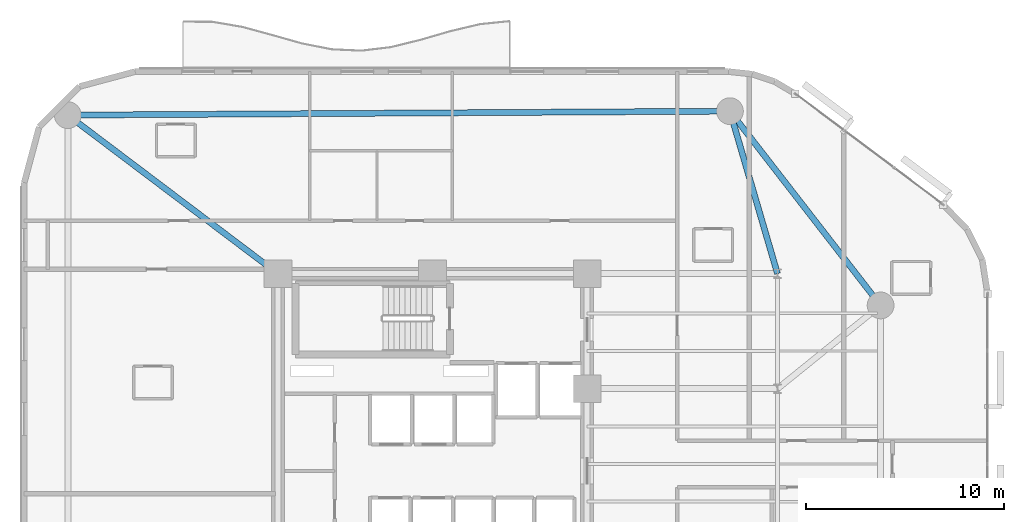
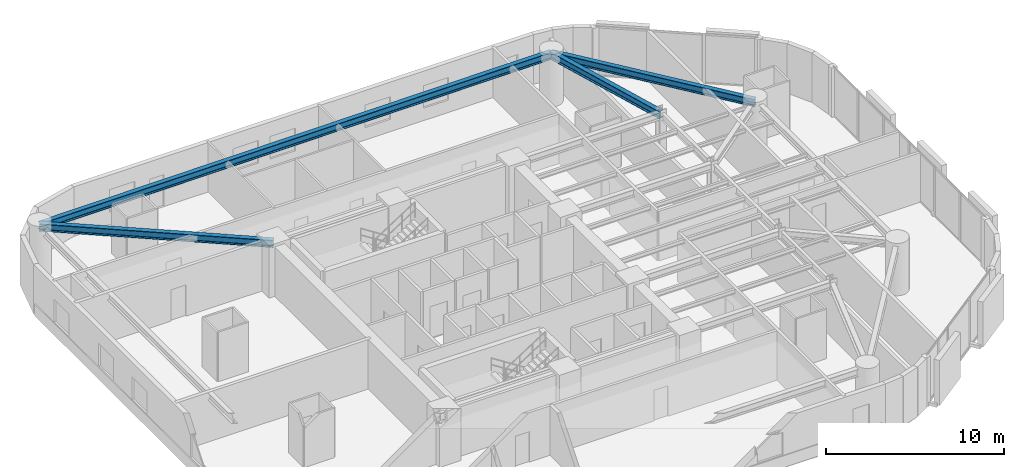
# One storey, part 7 of 16: 4 beams.
"""IFC4 building model written with IfcOpenShell, lengths in metres."""

from ifc_helpers import new_model, si_unit, direction, frame, origin, origin_2d, place, context, subcontext, project, spatial, i_section, extrude, material, material_profile, profile_set, type_object, element, save


model = new_model("IFC4")

# Units and contexts
model_context = context("Model", 3, precision=1e-05, world=origin(), true_north=direction((0.0, 1.0)))
body_context = subcontext(model_context, "Body", "Model", "MODEL_VIEW")
ifc_project = project(units=[si_unit("LENGTHUNIT", "METRE"), si_unit("AREAUNIT", "SQUARE_METRE"), si_unit("VOLUMEUNIT", "CUBIC_METRE"), si_unit("PLANEANGLEUNIT", "RADIAN"), si_unit("MASSUNIT", "GRAM", prefix="KILO")], contexts=[model_context])

# Site, building, storey
site_placement = place(None, origin())
site = spatial("IfcSite", under=ifc_project, at=site_placement, CompositionType="ELEMENT")
building_placement = place(site_placement, origin())
building = spatial("IfcBuilding", under=site, at=building_placement, Name="An Khanh Terracotta Commons", CompositionType="ELEMENT")
storey_placement = place(building_placement, frame((0.0, 0.0, 89.89990234375)))
storey = spatial("IfcBuildingStorey", under=building, at=storey_placement, Name="L23", CompositionType="ELEMENT", Elevation=89.89990234375)

# Beams
ifc_material = material(Name="Steel S355J2", Category="steel")
ifc_material_profile = material_profile(ifc_material, i_section(OverallWidth=0.300048828125, OverallDepth=0.5, WebThickness=0.014404296875, FlangeThickness=0.028076171875, FilletRadius=0.027099609375, at=origin_2d()), Name="HEB500")
ifc_profile_set = profile_set([ifc_material_profile], Name="Steel S355J2")
beam_type = type_object("IfcBeamType", Name="BM-HEB500", PredefinedType="BEAM", material=ifc_profile_set)
beam_1_placement = place(storey_placement, frame((52.0, 32.0, 3.150146484375), z_axis=(-0.612826529795, 0.790217466511, 0.0), x_axis=(-0.790217466511, -0.612826529795, 0.0)))
element("IfcBeam", 1, at=beam_1_placement, inside=storey, type_object=beam_type, Name="L23 Perimeter Ring Spandrel 4", PredefinedType="BEAM", context=body_context, shape_type="SweptSolid", body=[
    extrude(i_section(OverallWidth=0.300048828125, OverallDepth=0.5, WebThickness=0.014404296875, FlangeThickness=0.028076171875, FilletRadius=0.027099609375, at=origin_2d()), origin(), (0.0, 0.0, 1.0), 12.401611328125),
])
beam_2_placement = place(storey_placement, frame((44.39990234375, 41.800048828125, 3.150146484375), z_axis=(-0.999982080914, -0.005986472262, 0.0), x_axis=(0.005986472262, -0.999982080914, 0.0)))
element("IfcBeam", 2, at=beam_2_placement, inside=storey, type_object=beam_type, Name="L23 Perimeter Ring Spandrel 5", PredefinedType="BEAM", context=body_context, shape_type="SweptSolid", body=[
    extrude(i_section(OverallWidth=0.300048828125, OverallDepth=0.5, WebThickness=0.014404296875, FlangeThickness=0.028076171875, FilletRadius=0.027099609375, at=origin_2d()), origin(), (0.0, 0.0, 1.0), 33.400390625),
])
beam_3_placement = place(storey_placement, frame((44.39990234375, 41.800048828125, 3.150146484375), z_axis=(0.280916085823, -0.959732333896, 0.0), x_axis=(0.959732333896, 0.280916085823, 0.0)))
element("IfcBeam", 3, at=beam_3_placement, inside=storey, type_object=beam_type, Name="L23 Mega-Column Tie Girder 5", PredefinedType="BEAM", context=body_context, shape_type="SweptSolid", body=[
    extrude(i_section(OverallWidth=0.300048828125, OverallDepth=0.5, WebThickness=0.014404296875, FlangeThickness=0.028076171875, FilletRadius=0.027099609375, at=origin_2d()), origin(), (0.0, 0.0, 1.0), 8.5439453125),
])
beam_4_placement = place(storey_placement, frame((11.0, 41.60009765625, 3.150146484375), z_axis=(0.798191818888, -0.602403370061, 0.0), x_axis=(0.602403370061, 0.798191818888, 0.0)))
element("IfcBeam", 4, at=beam_4_placement, inside=storey, type_object=beam_type, Name="L23 Mega-Column Tie Girder 6", PredefinedType="BEAM", context=body_context, shape_type="SweptSolid", body=[
    extrude(i_section(OverallWidth=0.300048828125, OverallDepth=0.5, WebThickness=0.014404296875, FlangeThickness=0.028076171875, FilletRadius=0.027099609375, at=origin_2d()), origin(), (0.0, 0.0, 1.0), 13.280029296875),
])

save(model, "model.ifc")
